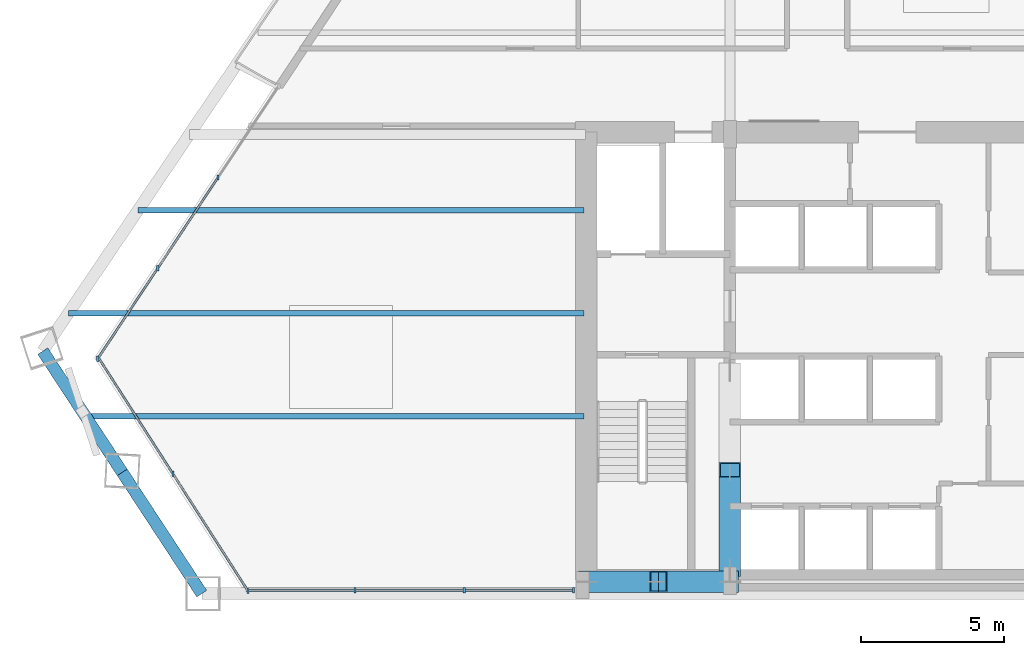
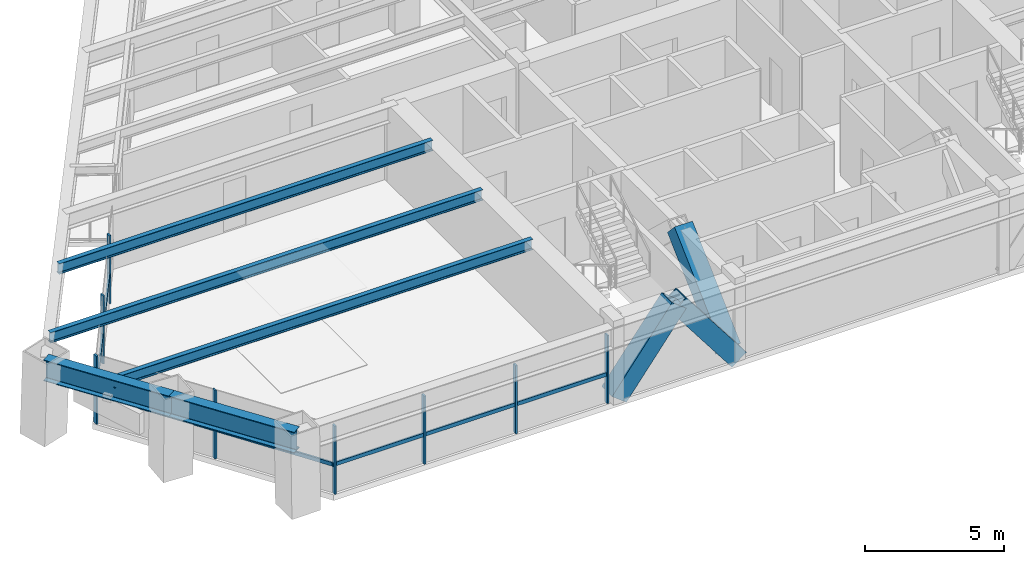
# One storey, part 2 of 14: 18 members, 5 beams, 3 elements without a shape of their own.
"""IFC4 building model written with IfcOpenShell, lengths in metres."""

from ifc_helpers import new_model, si_unit, direction, frame, origin, origin_2d, place, context, subcontext, project, spatial, rectangle, hollow_rectangle, i_section, extrude, source, transform, mapped, material, material_profile, profile_set, type_object, element, aggregate, save


model = new_model("IFC4")

# Units and contexts
model_context = context("Model", 3, precision=1e-05, world=origin(), true_north=direction((0.0, 1.0)))
body_context = subcontext(model_context, "Body", "Model", "MODEL_VIEW")
ifc_project = project(units=[si_unit("LENGTHUNIT", "METRE"), si_unit("AREAUNIT", "SQUARE_METRE"), si_unit("VOLUMEUNIT", "CUBIC_METRE"), si_unit("PLANEANGLEUNIT", "RADIAN"), si_unit("MASSUNIT", "GRAM", prefix="KILO")], contexts=[model_context])

# Site, building, storey
site_placement = place(None, origin())
site = spatial("IfcSite", under=ifc_project, at=site_placement, CompositionType="ELEMENT")
building_placement = place(site_placement, origin())
building = spatial("IfcBuilding", under=site, at=building_placement, Name="Varnakhor Terracotta Tower", CompositionType="ELEMENT")
storey_placement = place(building_placement, frame((0.0, 0.0, 117.300048828125)))
storey = spatial("IfcBuildingStorey", under=building, at=storey_placement, Name="L29", CompositionType="ELEMENT", Elevation=117.300048828125)

# Beams
ifc_material_1 = material(Name="Steel S355", Category="steel")
ifc_material_profile_1 = material_profile(ifc_material_1, i_section(OverallWidth=0.41796875, OverallDepth=0.927001953125, WebThickness=0.01904296875, FlangeThickness=0.031982421875, FilletRadius=0.01806640625, at=origin_2d()), Name="W36X231")
ifc_profile_set_1 = profile_set([ifc_material_profile_1], Name="Steel S355")
beam_type_1 = type_object("IfcBeamType", Name="BM-W36X231", PredefinedType="BEAM", material=ifc_profile_set_1)
shared_shape_1 = source(origin(), body_context, "Body", "SweptSolid", [
    extrude(i_section(OverallWidth=0.41796875, OverallDepth=0.927001953125, WebThickness=0.01904296875, FlangeThickness=0.031982421875, FilletRadius=0.01806640625, at=origin_2d()), origin(), (0.0, 0.0, 1.0), 5.067138671875),
])
for number, where, z_axis, x_axis, name in (
    (1, (-29.511474609375, 8.474609375, 2.95654296875), (0.548357514577, -0.836244005184, 0.0), (0.836244005184, 0.548357514577, 0.0), "L29 Perimeter Spandrel 7"),
    (2, (-26.73291015625, 4.2373046875, 2.95654296875), (0.548357514577, -0.836244005184, 0.0), (0.836244005184, 0.548357514577, 0.0), "L29 Perimeter Spandrel 8"),
):
    element("IfcBeam", number, at=place(storey_placement, frame(where, z_axis=z_axis, x_axis=x_axis)), inside=storey, type_object=beam_type_1, Name=name, PredefinedType="BEAM", context=body_context, shape_type="MappedRepresentation", body=[
        mapped(shared_shape_1, transform((0.0, 0.0, 0.0), scale=1.0)),
    ])
ifc_material_profile_2 = material_profile(ifc_material_1, i_section(OverallWidth=0.19189453125, OverallDepth=0.462890625, WebThickness=0.010498046875, FlangeThickness=0.017578125, FilletRadius=0.01806640625, at=origin_2d()), Name="W18X60")
ifc_profile_set_2 = profile_set([ifc_material_profile_2], Name="Steel S355")
beam_type_2 = type_object("IfcBeamType", Name="JST-W18X60", PredefinedType="JOIST", material=ifc_profile_set_2)
shared_shape_2 = source(origin(), body_context, "Body", "SweptSolid", [
    extrude(i_section(OverallWidth=0.19189453125, OverallDepth=0.462890625, WebThickness=0.010498046875, FlangeThickness=0.017578125, FilletRadius=0.01806640625, at=origin_2d()), origin(), (0.0, 0.0, 1.0), 17.419921875),
])
beam_1_placement = place(storey_placement, frame((-28.02001953125, 6.199951171875, 3.1884765625), z_axis=(1.0, 0.0, 0.0), x_axis=(0.0, 1.0, 0.0)))
element("IfcBeam", 3, at=beam_1_placement, inside=storey, type_object=beam_type_2, Name="L29 Floor Joist W1", PredefinedType="JOIST", context=body_context, shape_type="MappedRepresentation", body=[
    mapped(shared_shape_2, transform((0.0, 0.0, 0.0), scale=1.0)),
])
shared_shape_3 = source(origin(), body_context, "Body", "SweptSolid", [
    extrude(i_section(OverallWidth=0.19189453125, OverallDepth=0.462890625, WebThickness=0.010498046875, FlangeThickness=0.017578125, FilletRadius=0.01806640625, at=origin_2d()), origin(), (0.0, 0.0, 1.0), 18.014892578125),
])
beam_2_placement = place(storey_placement, frame((-28.614990234375, 9.800048828125, 3.1884765625), z_axis=(1.0, 0.0, 0.0), x_axis=(0.0, 1.0, 0.0)))
element("IfcBeam", 4, at=beam_2_placement, inside=storey, type_object=beam_type_2, Name="L29 Floor Joist W2", PredefinedType="JOIST", context=body_context, shape_type="MappedRepresentation", body=[
    mapped(shared_shape_3, transform((0.0, 0.0, 0.0), scale=1.0)),
])
shared_shape_4 = source(origin(), body_context, "Body", "SweptSolid", [
    extrude(i_section(OverallWidth=0.19189453125, OverallDepth=0.462890625, WebThickness=0.010498046875, FlangeThickness=0.017578125, FilletRadius=0.01806640625, at=origin_2d()), origin(), (0.0, 0.0, 1.0), 15.580322265625),
])
beam_3_placement = place(storey_placement, frame((-26.180419921875, 13.39990234375, 3.1884765625), z_axis=(1.0, 0.0, 0.0), x_axis=(0.0, 1.0, 0.0)))
element("IfcBeam", 5, at=beam_3_placement, inside=storey, type_object=beam_type_2, Name="L29 Floor Joist W3", PredefinedType="JOIST", context=body_context, shape_type="MappedRepresentation", body=[
    mapped(shared_shape_4, transform((0.0, 0.0, 0.0), scale=1.0)),
])

# Members
ifc_material_2 = material(Name="Steel S460", Category="steel")
ifc_material_profile_3 = material_profile(ifc_material_2, hollow_rectangle(XDim=0.75, YDim=0.75, WallThickness=0.044921875, at=origin_2d()), Name="HSS750X750X45")
ifc_profile_set_3 = profile_set([ifc_material_profile_3], Name="Steel S460")
member_type_1 = type_object("IfcMemberType", Name="MBR-MEGA-750", PredefinedType="BRACE", material=ifc_profile_set_3)
shared_shape_5 = source(origin(), body_context, "Body", "SweptSolid", [
    extrude(hollow_rectangle(XDim=0.75, YDim=0.75, WallThickness=0.044921875, at=origin_2d()), origin(), (0.0, 0.0, 1.0), 4.1162109375),
])
for number, where, z_axis, x_axis, name in (
    (6, (-10.5, 0.419921875, 0.0), (0.607357638477, 0.0, 0.794428536109), (0.0, 1.0, 0.0), "L29 Core Coupled Brace CSWA"),
    (7, (-5.5, 0.419921875, 0.0), (-0.607357638477, 0.0, 0.794428536109), (0.0, -1.0, 0.0), "L29 Core Coupled Brace CSWB"),
):
    element("IfcMember", number, at=place(storey_placement, frame(where, z_axis=z_axis, x_axis=x_axis)), inside=storey, type_object=member_type_1, Name=name, PredefinedType="BRACE", context=body_context, shape_type="MappedRepresentation", body=[
        mapped(shared_shape_5, transform((0.0, 0.0, 0.0), scale=1.0)),
    ])
shared_shape_6 = source(origin(), body_context, "Body", "SweptSolid", [
    extrude(hollow_rectangle(XDim=0.75, YDim=0.75, WallThickness=0.044921875, at=origin_2d()), origin(), (0.0, 0.0, 1.0), 4.771484375),
])
member_1_placement = place(storey_placement, frame((-5.5, 0.85009765625, 0.0), z_axis=(0.0, 0.728245054713, 0.685316817454), x_axis=(-1.0, 0.0, 0.0)))
element("IfcMember", 8, at=member_1_placement, inside=storey, type_object=member_type_1, Name="L29 Core Coupled Brace CWWA", PredefinedType="BRACE", context=body_context, shape_type="MappedRepresentation", body=[
    mapped(shared_shape_6, transform((0.0, 0.0, 0.0), scale=1.0)),
])

# Curtain wall, members
ifc_material_3 = material(Name="Anodised Aluminium Curtain Wall System", Category="aluminium")
curtain_wall_type = type_object("IfcCurtainWallType", Name="CW-SYS-LOW-OFFICE", PredefinedType="NOTDEFINED", material=ifc_material_3)
curtain_wall_1_placement = place(storey_placement, origin())
curtain_wall_1 = element("IfcCurtainWall", 9, at=curtain_wall_1_placement, inside=storey, type_object=curtain_wall_type, Name="L29 W Facet Curtain Wall 1", PredefinedType="NOTDEFINED")
ifc_material_4 = material(Name="Anodised Aluminium 6063-T6", Category="aluminium")
ifc_material_profile_4 = material_profile(ifc_material_4, rectangle(XDim=0.074951171875, YDim=0.18505859375, at=origin_2d()), Name="ALU MULLION 75x185")
ifc_profile_set_4 = profile_set([ifc_material_profile_4], Name="Anodised Aluminium 6063-T6")
member_type_2 = type_object("IfcMemberType", Name="CWM-02", PredefinedType="MULLION", material=ifc_profile_set_4)
shared_shape_7 = source(origin(), body_context, "Body", "SweptSolid", [
    extrude(rectangle(XDim=0.074951171875, YDim=0.18505859375, at=origin_2d()), origin(), (0.0, 0.0, 1.0), 3.0),
])
member_2_placement = place(storey_placement, frame((-27.591064453125, 8.20654296875, 0.0), z_axis=(0.0, 0.0, 1.0), x_axis=(1.0, 0.0, 0.0)))
member_2 = element("IfcMember", 10, at=member_2_placement, type_object=member_type_2, Name="L29 W Facet Curtain Wall 1 Mullion 1", PredefinedType="MULLION", context=body_context, shape_type="MappedRepresentation", body=[
    mapped(shared_shape_7, transform((0.0, 0.0, 0.0), scale=1.0)),
])
member_3_placement = place(storey_placement, frame((-25.490234375, 11.373046875, 0.0), z_axis=(0.0, 0.0, 1.0), x_axis=(1.0, 0.0, 0.0)))
member_3 = element("IfcMember", 11, at=member_3_placement, type_object=member_type_2, Name="L29 W Facet Curtain Wall 1 Mullion 2", PredefinedType="MULLION", context=body_context, shape_type="MappedRepresentation", body=[
    mapped(shared_shape_7, transform((0.0, 0.0, 0.0), scale=1.0)),
])
member_4_placement = place(storey_placement, frame((-23.389404296875, 14.53955078125, 0.0), z_axis=(0.0, 0.0, 1.0), x_axis=(1.0, 0.0, 0.0)))
member_4 = element("IfcMember", 12, at=member_4_placement, type_object=member_type_2, Name="L29 W Facet Curtain Wall 1 Mullion 3", PredefinedType="MULLION", context=body_context, shape_type="MappedRepresentation", body=[
    mapped(shared_shape_7, transform((0.0, 0.0, 0.0), scale=1.0)),
])

curtain_wall_2_placement = place(storey_placement, origin())
curtain_wall_2 = element("IfcCurtainWall", 13, at=curtain_wall_2_placement, inside=storey, type_object=curtain_wall_type, Name="L29 South Wing Curtain Wall SSW", PredefinedType="NOTDEFINED")
member_5_placement = place(storey_placement, frame((-10.969970703125, 0.1201171875, 0.0), z_axis=(0.0, 0.0, 1.0), x_axis=(1.0, 0.0, 0.0)))
member_5 = element("IfcMember", 14, at=member_5_placement, type_object=member_type_2, Name="L29 South Wing Curtain Wall SSW Mullion 1", PredefinedType="MULLION", context=body_context, shape_type="MappedRepresentation", body=[
    mapped(shared_shape_7, transform((0.0, 0.0, 0.0), scale=1.0)),
])
member_6_placement = place(storey_placement, frame((-14.78369140625, 0.1201171875, 0.0), z_axis=(0.0, 0.0, 1.0), x_axis=(1.0, 0.0, 0.0)))
member_6 = element("IfcMember", 15, at=member_6_placement, type_object=member_type_2, Name="L29 South Wing Curtain Wall SSW Mullion 2", PredefinedType="MULLION", context=body_context, shape_type="MappedRepresentation", body=[
    mapped(shared_shape_7, transform((0.0, 0.0, 0.0), scale=1.0)),
])
member_7_placement = place(storey_placement, frame((-18.597412109375, 0.1201171875, 0.0), z_axis=(0.0, 0.0, 1.0), x_axis=(1.0, 0.0, 0.0)))
member_7 = element("IfcMember", 16, at=member_7_placement, type_object=member_type_2, Name="L29 South Wing Curtain Wall SSW Mullion 3", PredefinedType="MULLION", context=body_context, shape_type="MappedRepresentation", body=[
    mapped(shared_shape_7, transform((0.0, 0.0, 0.0), scale=1.0)),
])

curtain_wall_3_placement = place(storey_placement, origin())
curtain_wall_3 = element("IfcCurtainWall", 17, at=curtain_wall_3_placement, inside=storey, type_object=curtain_wall_type, Name="L29 Facet Curtain Wall 6", PredefinedType="NOTDEFINED")
member_8_placement = place(storey_placement, frame((-22.33642578125, 0.090087890625, 0.0), z_axis=(0.0, 0.0, 1.0), x_axis=(1.0, 0.0, 0.0)))
member_8 = element("IfcMember", 18, at=member_8_placement, type_object=member_type_2, Name="L29 Facet Curtain Wall 6 Mullion 1", PredefinedType="MULLION", context=body_context, shape_type="MappedRepresentation", body=[
    mapped(shared_shape_7, transform((0.0, 0.0, 0.0), scale=1.0)),
])
member_9_placement = place(storey_placement, frame((-24.96337890625, 4.188720703125, 0.0), z_axis=(0.0, 0.0, 1.0), x_axis=(1.0, 0.0, 0.0)))
member_9 = element("IfcMember", 19, at=member_9_placement, type_object=member_type_2, Name="L29 Facet Curtain Wall 6 Mullion 2", PredefinedType="MULLION", context=body_context, shape_type="MappedRepresentation", body=[
    mapped(shared_shape_7, transform((0.0, 0.0, 0.0), scale=1.0)),
])

# Member
ifc_material_profile_5 = material_profile(ifc_material_4, rectangle(XDim=0.074951171875, YDim=0.1650390625, at=origin_2d()), Name="ALU TRANSOM 75x165")
ifc_profile_set_5 = profile_set([ifc_material_profile_5], Name="Anodised Aluminium 6063-T6")
member_type_3 = type_object("IfcMemberType", Name="CWT-02", PredefinedType="USERDEFINED", material=ifc_profile_set_5)
shared_shape_8 = source(origin(), body_context, "Body", "SweptSolid", [
    extrude(rectangle(XDim=0.074951171875, YDim=0.1650390625, at=origin_2d()), origin(), (0.0, 0.0, 1.0), 3.800048828125),
])
member_10_placement = place(storey_placement, frame((-27.591064453125, 8.20654296875, 1.260009765625), z_axis=(0.552845541046, 0.833283749839, 0.0), x_axis=(-0.833283749839, 0.552845541046, 0.0)))
member_10 = element("IfcMember", 20, at=member_10_placement, type_object=member_type_3, Name="L29 W Facet Curtain Wall 1 Transom 1", ObjectType="TRANSOM", PredefinedType="USERDEFINED", context=body_context, shape_type="MappedRepresentation", body=[
    mapped(shared_shape_8, transform((0.0, 0.0, 0.0), scale=1.0)),
])

member_11_placement = place(storey_placement, frame((-25.490234375, 11.373046875, 1.260009765625), z_axis=(0.552845541046, 0.833283749839, 0.0), x_axis=(-0.833283749839, 0.552845541046, 0.0)))
member_11 = element("IfcMember", 21, at=member_11_placement, type_object=member_type_3, Name="L29 W Facet Curtain Wall 1 Transom 2", ObjectType="TRANSOM", PredefinedType="USERDEFINED", context=body_context, shape_type="MappedRepresentation", body=[
    mapped(shared_shape_8, transform((0.0, 0.0, 0.0), scale=1.0)),
])

aggregate(curtain_wall_1, [member_2, member_10, member_3, member_11, member_4])

shared_shape_9 = source(origin(), body_context, "Body", "SweptSolid", [
    extrude(rectangle(XDim=0.074951171875, YDim=0.1650390625, at=origin_2d()), origin(), (0.0, 0.0, 1.0), 3.813720703125),
])
member_12_placement = place(storey_placement, frame((-10.969970703125, 0.1201171875, 1.260009765625), z_axis=(-1.0, 0.0, 0.0), x_axis=(0.0, -1.0, 0.0)))
member_12 = element("IfcMember", 22, at=member_12_placement, type_object=member_type_3, Name="L29 South Wing Curtain Wall SSW Transom 1", ObjectType="TRANSOM", PredefinedType="USERDEFINED", context=body_context, shape_type="MappedRepresentation", body=[
    mapped(shared_shape_9, transform((0.0, 0.0, 0.0), scale=1.0)),
])

member_13_placement = place(storey_placement, frame((-14.78369140625, 0.1201171875, 1.260009765625), z_axis=(-1.0, 0.0, 0.0), x_axis=(0.0, -1.0, 0.0)))
member_13 = element("IfcMember", 23, at=member_13_placement, type_object=member_type_3, Name="L29 South Wing Curtain Wall SSW Transom 2", ObjectType="TRANSOM", PredefinedType="USERDEFINED", context=body_context, shape_type="MappedRepresentation", body=[
    mapped(shared_shape_9, transform((0.0, 0.0, 0.0), scale=1.0)),
])

member_14_placement = place(storey_placement, frame((-18.597412109375, 0.1201171875, 1.260009765625), z_axis=(-1.0, 0.0, 0.0), x_axis=(0.0, -1.0, 0.0)))
member_14 = element("IfcMember", 24, at=member_14_placement, type_object=member_type_3, Name="L29 South Wing Curtain Wall SSW Transom 3", ObjectType="TRANSOM", PredefinedType="USERDEFINED", context=body_context, shape_type="MappedRepresentation", body=[
    mapped(shared_shape_9, transform((0.0, 0.0, 0.0), scale=1.0)),
])

aggregate(curtain_wall_2, [member_5, member_12, member_6, member_13, member_7, member_14])

shared_shape_10 = source(origin(), body_context, "Body", "SweptSolid", [
    extrude(rectangle(XDim=0.074951171875, YDim=0.1650390625, at=origin_2d()), origin(), (0.0, 0.0, 1.0), 4.8681640625),
])
member_15_placement = place(storey_placement, frame((-22.33642578125, 0.090087890625, 1.260009765625), z_axis=(-0.539611430245, 0.841914190609, 0.0), x_axis=(-0.841914190609, -0.539611430245, 0.0)))
member_15 = element("IfcMember", 25, at=member_15_placement, type_object=member_type_3, Name="L29 Facet Curtain Wall 6 Transom 1", ObjectType="TRANSOM", PredefinedType="USERDEFINED", context=body_context, shape_type="MappedRepresentation", body=[
    mapped(shared_shape_10, transform((0.0, 0.0, 0.0), scale=1.0)),
])

member_16_placement = place(storey_placement, frame((-24.96337890625, 4.188720703125, 1.260009765625), z_axis=(-0.539611430245, 0.841914190609, 0.0), x_axis=(-0.841914190609, -0.539611430245, 0.0)))
member_16 = element("IfcMember", 26, at=member_16_placement, type_object=member_type_3, Name="L29 Facet Curtain Wall 6 Transom 2", ObjectType="TRANSOM", PredefinedType="USERDEFINED", context=body_context, shape_type="MappedRepresentation", body=[
    mapped(shared_shape_10, transform((0.0, 0.0, 0.0), scale=1.0)),
])

aggregate(curtain_wall_3, [member_8, member_15, member_9, member_16])

save(model, "model.ifc")
